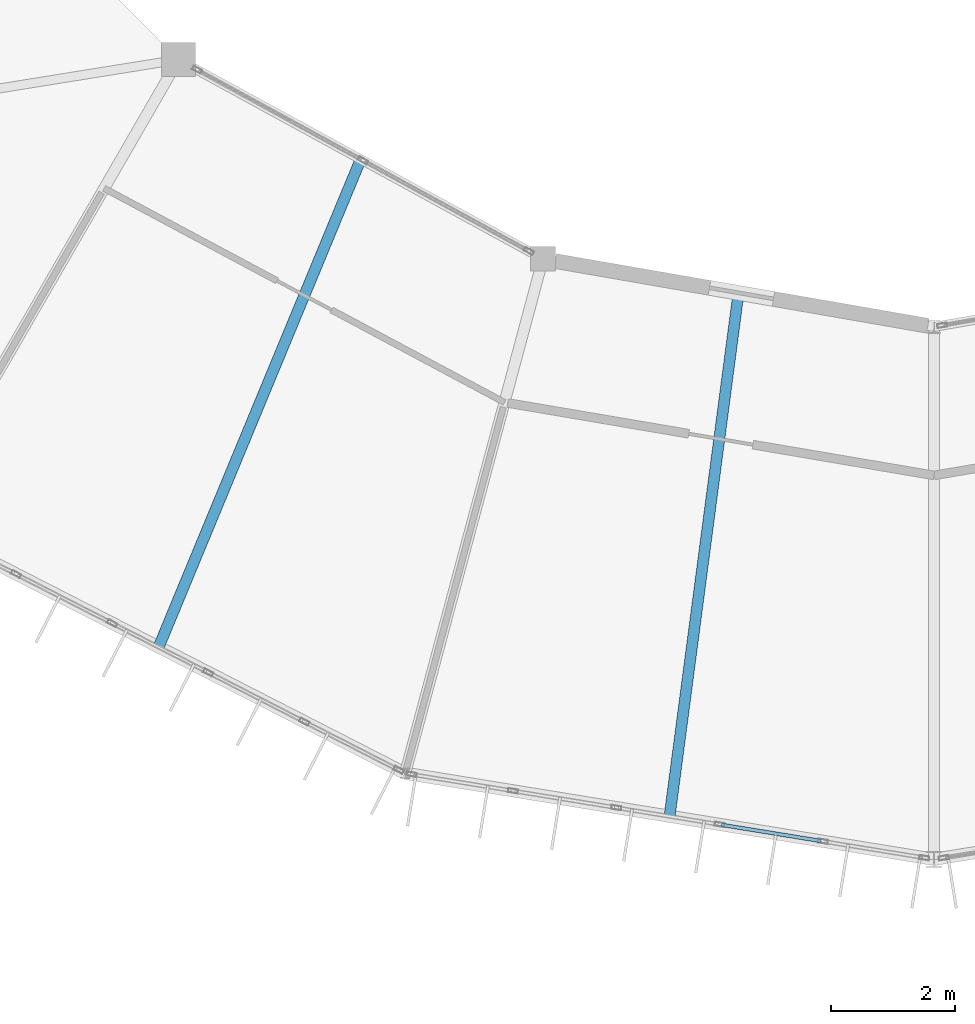
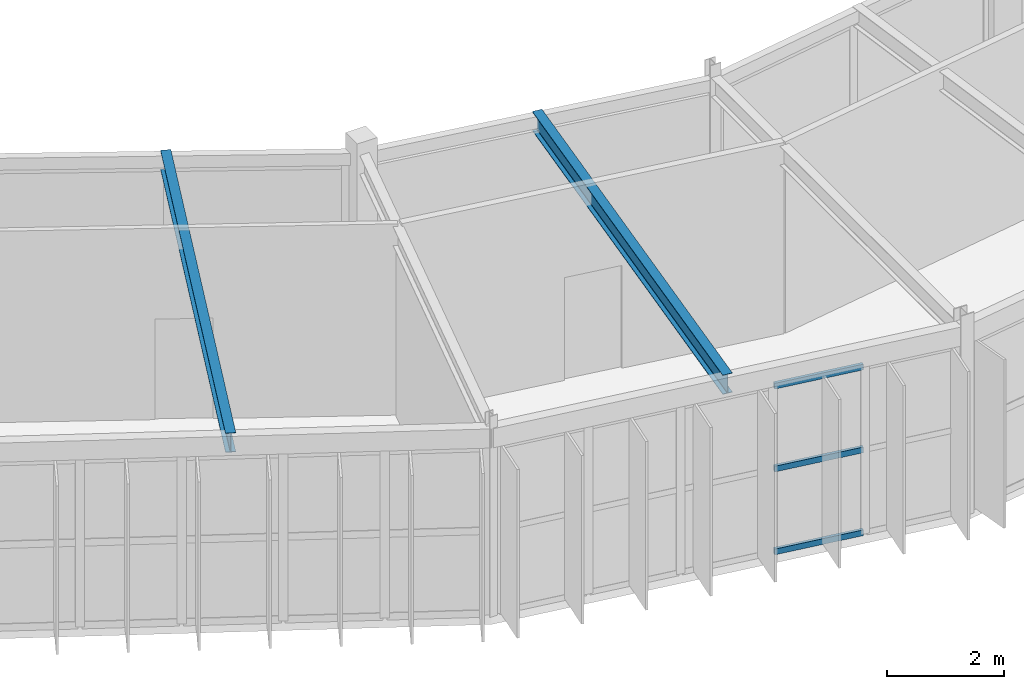
# One storey, part 19 of 106: 3 members, 2 beams, 1 element without a shape of its own.
"""IFC4 building model written with IfcOpenShell, lengths in metres."""

import ifcopenshell
import ifcopenshell.guid

model = None  # the IFC model being written
_history = None  # IfcOwnerHistory: only IFC2X3 demands one
_inside = {}  # id of a spatial element -> (the spatial element, [elements in it])
_under = {}  # id of a project, library or spatial element -> (it, [spatial elements below it])
_declared = {}  # id of a project -> (the project, [libraries it declares])
_typed = {}  # id of a type object -> (the type object, [elements of that type])
_made_of = {}  # id of a material, layer set ... -> (it, [elements and type objects made of it])


def new_model(schema):
    """Start an empty IFC model of exactly this schema.

    Asked for "IFC4X3", IfcOpenShell would pick the latest addendum, in which some entities
    have other attributes; the version numbers below select the first issue.
    IFC2X3 requires an IfcOwnerHistory on every rooted entity: one is made here for all.
    """
    global model, _history
    if schema == "IFC4X3":
        model = ifcopenshell.file(schema_version=(4, 3, 0, 0))
    else:
        model = ifcopenshell.file(schema=schema)
    _inside.clear()
    _under.clear()
    _declared.clear()
    _typed.clear()
    _made_of.clear()
    _history = None
    if model.schema == "IFC2X3":
        org = make("IfcOrganization", Name="unknown")
        user = make(
            "IfcPersonAndOrganization",
            ThePerson=make("IfcPerson", FamilyName="unknown"),
            TheOrganization=org,
        )
        app = make(
            "IfcApplication",
            ApplicationDeveloper=org,
            Version="unknown",
            ApplicationFullName="unknown",
            ApplicationIdentifier="unknown",
        )
        _history = make(
            "IfcOwnerHistory",
            OwningUser=user,
            OwningApplication=app,
            ChangeAction="ADDED",
            CreationDate=0,
        )
    return model


def make(cls, **values):
    """One entity of the class cls with the attributes given. An attribute that is None is left unset."""
    return model.create_entity(
        cls, **{name: value for name, value in values.items() if value is not None}
    )


def rooted(cls, **values):
    """An entity with a GlobalId (a new one), such as an element, a storey or a relation."""
    return make(cls, GlobalId=ifcopenshell.guid.new(), OwnerHistory=_history, **values)


def si_unit(unit_type, name, prefix=None):
    """IfcSIUnit, for example si_unit("LENGTHUNIT", "METRE", prefix="MILLI")."""
    return make("IfcSIUnit", UnitType=unit_type, Prefix=prefix, Name=name)


def assignment(units):
    """IfcUnitAssignment: the units of a project."""
    return None if units is None else make("IfcUnitAssignment", Units=units)


def point(xyz):
    """IfcCartesianPoint."""
    return None if xyz is None else make("IfcCartesianPoint", Coordinates=xyz)


def direction(xyz):
    """IfcDirection."""
    return None if xyz is None else make("IfcDirection", DirectionRatios=xyz)


def frame(location, z_axis=None, x_axis=None):
    """IfcAxis2Placement3D, a coordinate frame: its origin and axes. An axis left out is left unset."""
    return make(
        "IfcAxis2Placement3D",
        Location=point(location),
        Axis=direction(z_axis),
        RefDirection=direction(x_axis),
    )


def frame_2d(location, x_axis=None):
    """IfcAxis2Placement2D, a coordinate frame in the plane: its origin and x axis."""
    return make(
        "IfcAxis2Placement2D", Location=point(location), RefDirection=direction(x_axis)
    )


def origin():
    """The frame at (0, 0, 0) with its axes left unset."""
    return frame((0.0, 0.0, 0.0))


def origin_2d():
    """The frame at (0, 0) in the plane with its x axis left unset."""
    return frame_2d((0.0, 0.0))


def place(relative_to, where):
    """IfcLocalPlacement: puts the frame where relative to a parent placement (None: the world)."""
    return make(
        "IfcLocalPlacement", PlacementRelTo=relative_to, RelativePlacement=where
    )


def context(
    kind, dimensions, precision=None, world=None, true_north=None, identifier=None
):
    """IfcGeometricRepresentationContext, for example the 3D "Model" context."""
    return make(
        "IfcGeometricRepresentationContext",
        ContextIdentifier=identifier,
        ContextType=kind,
        CoordinateSpaceDimension=dimensions,
        Precision=precision,
        WorldCoordinateSystem=world,
        TrueNorth=true_north,
    )


def subcontext(parent, identifier, kind, view, scale=None):
    """IfcGeometricRepresentationSubContext, for example "Body" below "Model"."""
    return make(
        "IfcGeometricRepresentationSubContext",
        ContextIdentifier=identifier,
        ContextType=kind,
        ParentContext=parent,
        TargetScale=scale,
        TargetView=view,
    )


def project(units=None, contexts=None):
    """IfcProject with its units and contexts."""
    return rooted(
        "IfcProject",
        Name="project",
        RepresentationContexts=contexts,
        UnitsInContext=assignment(units),
    )


def spatial(cls, under=None, at=None, **own):
    """A site, building, storey or space (cls), placed at a placement, below another one or the project."""
    s = rooted(cls, ObjectPlacement=at, **own)
    if under is not None:
        _under.setdefault(under.id(), (under, []))[1].append(s)
    return s


def profile(cls, at=None, kind="AREA", **sizes):
    """A parametric profile (cls). Its sizes go by their IFC names, for example OverallWidth=200.0."""
    return make(cls, ProfileType=kind, Position=at, **sizes)


def hollow_rectangle(**sizes):
    """IfcRectangleHollowProfileDef."""
    return profile("IfcRectangleHollowProfileDef", **sizes)


def i_section(**sizes):
    """IfcIShapeProfileDef."""
    return profile("IfcIShapeProfileDef", **sizes)


def extrude(swept, where, along, depth):
    """IfcExtrudedAreaSolid: the profile swept, set in the frame where, extruded along a direction by depth."""
    return make(
        "IfcExtrudedAreaSolid",
        SweptArea=swept,
        Position=where,
        ExtrudedDirection=direction(along),
        Depth=depth,
    )


def shape(context_of_items, identifier, shape_type, items):
    """IfcShapeRepresentation: the items that make up one representation, for example the "Body"."""
    return make(
        "IfcShapeRepresentation",
        ContextOfItems=context_of_items,
        RepresentationIdentifier=identifier,
        RepresentationType=shape_type,
        Items=items,
    )


def material(Name=None, Category=None):
    """IfcMaterial."""
    return make("IfcMaterial", Name=Name, Category=Category)


def material_profile(
    of_material, cross_section, Name=None, Category=None, Priority=None
):
    """IfcMaterialProfile: a cross section and its material."""
    return make(
        "IfcMaterialProfile",
        Name=Name,
        Material=of_material,
        Profile=cross_section,
        Priority=Priority,
        Category=Category,
    )


def profile_set(profiles, Name=None, composite=None):
    """IfcMaterialProfileSet."""
    return make(
        "IfcMaterialProfileSet",
        Name=Name,
        MaterialProfiles=profiles,
        CompositeProfile=composite,
    )


def made_of(thing, what):
    """Note that an element or type object is made of a material, layer set ...; save() writes the relation."""
    if what is not None:
        _made_of.setdefault(what.id(), (what, []))[1].append(thing)
    return thing


def type_object(cls, material=None, **own):
    """A type object (cls), such as IfcWallType, which elements share."""
    return made_of(rooted(cls, **own), material)


def element(
    cls,
    number,
    at=None,
    inside=None,
    cuts=None,
    type_object=None,
    material=None,
    context=None,
    identifier="Body",
    shape_type=None,
    held_by="IfcProductDefinitionShape",
    body=None,
    shapes=None,
    **own,
):
    """One element of the class cls, such as IfcWall. Its Tag is "e" and its number.

    at: its placement. inside: the storey or other place that contains it. cuts: it is an
    opening in that element (IfcRelVoidsElement). A single representation is given by context,
    identifier, shape_type and body (its items); several are given by shapes. held_by: the class
    of the entity that holds the representations. save() writes the other relations.
    """
    e = rooted(cls, Tag="e%d" % number, ObjectPlacement=at, **own)
    if body is not None:
        shapes = [shape(context, identifier, shape_type, body)]
    if shapes is not None:
        e.Representation = make(held_by, Representations=shapes)
    if inside is not None:
        _inside.setdefault(inside.id(), (inside, []))[1].append(e)
    if cuts is not None:
        rooted(
            "IfcRelVoidsElement", RelatingBuildingElement=cuts, RelatedOpeningElement=e
        )
    if type_object is not None:
        _typed.setdefault(type_object.id(), (type_object, []))[1].append(e)
    return made_of(e, material)


def aggregate(whole, parts):
    """IfcRelAggregates: a whole, such as a stair, and the parts it consists of."""
    return rooted("IfcRelAggregates", RelatingObject=whole, RelatedObjects=parts)


def save(model, path):
    """Write the relations noted so far, then the file.

    IfcRelAggregates (storeys below a building ...), IfcRelContainedInSpatialStructure (elements
    in a storey), IfcRelDefinesByType, IfcRelAssociatesMaterial and IfcRelDeclares: one each for
    every whole, place, type object, material and project.
    """
    for whole, parts in _under.values():
        aggregate(whole, parts)
    for where, things in _inside.values():
        rooted(
            "IfcRelContainedInSpatialStructure",
            RelatedElements=things,
            RelatingStructure=where,
        )
    for kind, things in _typed.values():
        rooted("IfcRelDefinesByType", RelatedObjects=things, RelatingType=kind)
    for what, things in _made_of.values():
        rooted("IfcRelAssociatesMaterial", RelatedObjects=things, RelatingMaterial=what)
    for by, libraries in _declared.values():
        rooted("IfcRelDeclares", RelatingContext=by, RelatedDefinitions=libraries)
    model.write(path)


model = new_model("IFC4")

# Units and contexts
model_context = context("Model", 3, precision=1e-05, world=origin(), true_north=direction((0.0, 1.0)))
body_context = subcontext(model_context, "Body", "Model", "MODEL_VIEW")
ifc_project = project(units=[si_unit("LENGTHUNIT", "METRE"), si_unit("AREAUNIT", "SQUARE_METRE"), si_unit("VOLUMEUNIT", "CUBIC_METRE"), si_unit("PLANEANGLEUNIT", "RADIAN"), si_unit("MASSUNIT", "GRAM", prefix="KILO")], contexts=[model_context])

# Site, building, storey
site_placement = place(None, origin())
site = spatial("IfcSite", under=ifc_project, at=site_placement, CompositionType="ELEMENT")
building_placement = place(site_placement, origin())
building = spatial("IfcBuilding", under=site, at=building_placement, Name="Karori Crest Natural Sciences Institute", CompositionType="ELEMENT")
storey_placement = place(building_placement, frame((0.0, 0.0, 25.89990234375)))
storey = spatial("IfcBuildingStorey", under=building, at=storey_placement, Name="L06", CompositionType="ELEMENT", Elevation=25.89990234375)

# Beams
ifc_material_1 = material(Name="Structural steel AS/NZS 3679.1 Grade 350", Category="steel")
ifc_material_profile_1 = material_profile(ifc_material_1, i_section(OverallWidth=0.177978515625, OverallDepth=0.406005859375, WebThickness=0.0078125, FlangeThickness=0.0126953125, FilletRadius=0.010986328125, at=origin_2d()), Name="410UB59.7")
ifc_profile_set_1 = profile_set([ifc_material_profile_1], Name="Structural steel AS/NZS 3679.1 Grade 350")
beam_type = type_object("IfcBeamType", Name="BT-07", PredefinedType="BEAM", material=ifc_profile_set_1)
for number, where, z_axis, x_axis, name in (
    (1, (57.142333984375, 20.405517578125, 3.739990234375), (-0.382693194178, -0.923875488976, 0.0), (0.923875488976, -0.382693194178, 0.0), "Beam B-2897"),
    (2, (63.242431640625, 18.24853515625, 3.739990234375), (-0.130541173449, -0.991442888942, 0.0), (0.991442888942, -0.130541173449, 0.0), "Beam B-2898"),
):
    element("IfcBeam", number, at=place(storey_placement, frame(where, z_axis=z_axis, x_axis=x_axis)), inside=storey, type_object=beam_type, Name=name, PredefinedType="BEAM", context=body_context, shape_type="SweptSolid", body=[
        extrude(i_section(OverallWidth=0.177978515625, OverallDepth=0.406005859375, WebThickness=0.0078125, FlangeThickness=0.0126953125, FilletRadius=0.010986328125, at=origin_2d()), origin(), (0.0, 0.0, 1.0), 8.5263671875),
    ])

# Curtain wall, members
ifc_material_2 = material(Name="Anodised architectural aluminium 6063-T6", Category="aluminium")
curtain_wall_type = type_object("IfcCurtainWallType", Name="CWT-08", PredefinedType="NOTDEFINED", material=ifc_material_2)
curtain_wall_placement = place(storey_placement, origin())
curtain_wall = element("IfcCurtainWall", 3, at=curtain_wall_placement, inside=storey, type_object=curtain_wall_type, Name="Curtain wall CW-0210", PredefinedType="NOTDEFINED")
ifc_material_profile_2 = material_profile(ifc_material_2, hollow_rectangle(XDim=0.06005859375, YDim=0.1201171875, WallThickness=0.00390625, at=origin_2d()), Name="CWT120x60x4")
ifc_profile_set_2 = profile_set([ifc_material_profile_2], Name="Anodised architectural aluminium 6063-T6")
member_type = type_object("IfcMemberType", Name="CWT-TR1", PredefinedType="USERDEFINED", material=ifc_profile_set_2)
member_1_placement = place(storey_placement, frame((64.573974609375, 9.397216796875, 0.030029296875), z_axis=(-0.987020010371, 0.1605973198, 0.0), x_axis=(-0.1605973198, -0.987020010371, 0.0)))
member_1 = element("IfcMember", 4, at=member_1_placement, type_object=member_type, Name="CW-0210 transom 2.1", ObjectType="TRANSOM", PredefinedType="USERDEFINED", context=body_context, shape_type="SweptSolid", body=[
    extrude(hollow_rectangle(XDim=0.06005859375, YDim=0.1201171875, WallThickness=0.00390625, at=origin_2d()), origin(), (0.0, 0.0, 1.0), 1.625),
])
member_2_placement = place(storey_placement, frame((64.573974609375, 9.397216796875, 1.7626953125), z_axis=(-0.987020010371, 0.1605973198, 0.0), x_axis=(-0.1605973198, -0.987020010371, 0.0)))
member_2 = element("IfcMember", 5, at=member_2_placement, type_object=member_type, Name="CW-0210 transom 2.2", ObjectType="TRANSOM", PredefinedType="USERDEFINED", context=body_context, shape_type="SweptSolid", body=[
    extrude(hollow_rectangle(XDim=0.06005859375, YDim=0.1201171875, WallThickness=0.00390625, at=origin_2d()), origin(), (0.0, 0.0, 1.0), 1.625),
])
member_3_placement = place(storey_placement, frame((64.573974609375, 9.397216796875, 3.4951171875), z_axis=(-0.987020010371, 0.1605973198, 0.0), x_axis=(-0.1605973198, -0.987020010371, 0.0)))
member_3 = element("IfcMember", 6, at=member_3_placement, type_object=member_type, Name="CW-0210 transom 2.3", ObjectType="TRANSOM", PredefinedType="USERDEFINED", context=body_context, shape_type="SweptSolid", body=[
    extrude(hollow_rectangle(XDim=0.06005859375, YDim=0.1201171875, WallThickness=0.00390625, at=origin_2d()), origin(), (0.0, 0.0, 1.0), 1.625),
])
aggregate(curtain_wall, [member_1, member_2, member_3])

save(model, "model.ifc")
